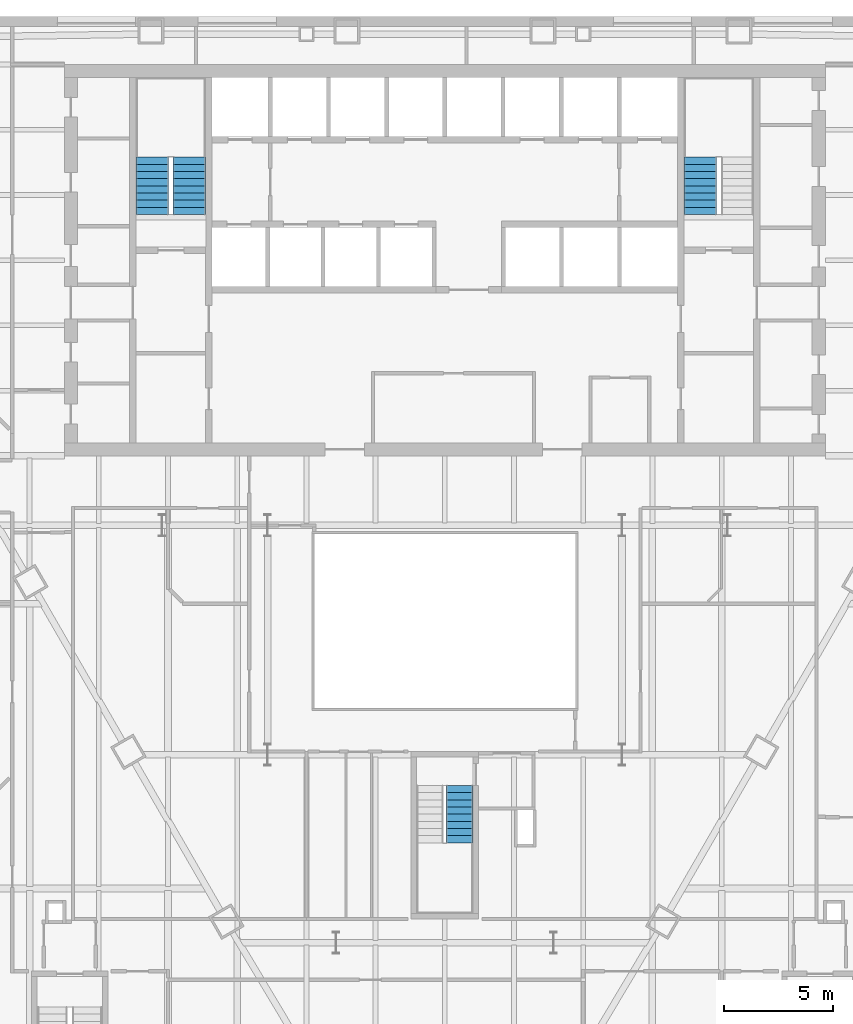
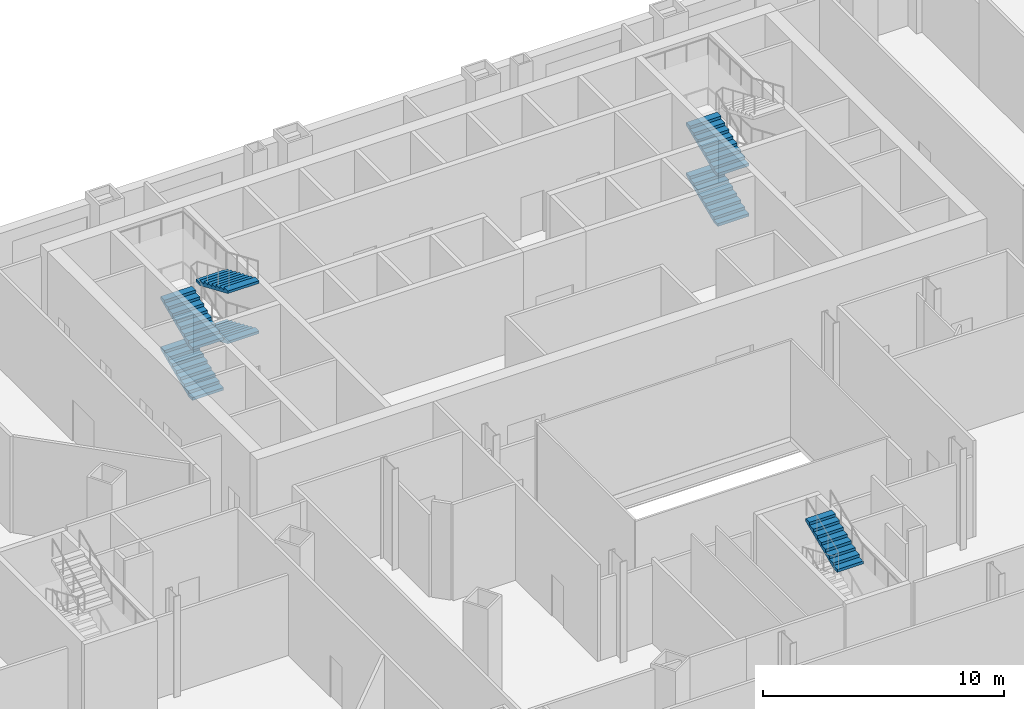
# One storey, part 17 of 20: 7 stair flights, 3 elements without a shape of their own.
"""IFC4 building model written with IfcOpenShell, lengths in metres."""

from ifc_helpers import new_model, si_unit, direction, frame, origin, place, context, subcontext, project, spatial, polygons, material, type_object, element, aggregate, save


model = new_model("IFC4")

# Units and contexts
model_context = context("Model", 3, precision=1e-05, world=origin(), true_north=direction((0.0, 1.0)))
body_context = subcontext(model_context, "Body", "Model", "MODEL_VIEW")
ifc_project = project(units=[si_unit("LENGTHUNIT", "METRE"), si_unit("AREAUNIT", "SQUARE_METRE"), si_unit("VOLUMEUNIT", "CUBIC_METRE"), si_unit("PLANEANGLEUNIT", "RADIAN"), si_unit("MASSUNIT", "GRAM", prefix="KILO")], contexts=[model_context])

# Site, building, storey
site_placement = place(None, origin())
site = spatial("IfcSite", under=ifc_project, at=site_placement, CompositionType="ELEMENT")
building_placement = place(site_placement, origin())
building = spatial("IfcBuilding", under=site, at=building_placement, Name="Njiva Tower", CompositionType="ELEMENT")
storey_placement = place(building_placement, frame((0.0, 0.0, 18.6)))
storey = spatial("IfcBuildingStorey", under=building, at=storey_placement, Name="L03", CompositionType="ELEMENT", Elevation=18.6)

# Stair, stair flight
ifc_material = material(Name="Concrete C40/50", Category="concrete")
stair_type_1 = type_object("IfcStairType", Name="ST1 Exit stair 1250", PredefinedType="HALF_TURN_STAIR", material=ifc_material)
stair_1_placement = place(storey_placement, origin())
stair_1 = element("IfcStair", 1, at=stair_1_placement, inside=storey, type_object=stair_type_1, Name="Stair C", PredefinedType="DOUBLE_RETURN_STAIR")
stair_flight_type_1 = type_object("IfcStairFlightType", Name="FL1 Stair flight 1250", PredefinedType="STRAIGHT", material=ifc_material)
stair_flight_1_placement = place(storey_placement, frame((0.675, -17.8, 3.825), z_axis=(0.0, 0.0, 1.0), x_axis=(0.0, 1.0, 0.0)))
stair_flight_1 = element("IfcStairFlight", 2, at=stair_flight_1_placement, type_object=stair_flight_type_1, Name="ST-C flight 4", NumberOfRisers=9, NumberOfTreads=8, PredefinedType="STRAIGHT", RiserHeight=0.141666667, TreadLength=0.33, context=body_context, shape_type="Tessellation", body=[
    polygons([(0.0, 0.625, 0.0), (0.0, 0.3125, 0.0), (0.0, 0.0, 0.0), (0.0, -0.3125, 0.0), (0.0, -0.625, 0.0), (0.0, 0.625, 0.1417), (0.0, 0.3125, 0.1417), (0.0, 0.0, 0.1417), (0.0, -0.3125, 0.1417), (0.0, -0.625, 0.1417), (0.33, 0.625, 0.1417), (0.33, 0.3125, 0.1417), (0.33, 0.0, 0.1417), (0.33, -0.3125, 0.1417), (0.33, -0.625, 0.1417), (0.33, 0.625, 0.2833), (0.33, 0.3125, 0.2833), (0.33, 0.0, 0.2833), (0.33, -0.3125, 0.2833), (0.33, -0.625, 0.2833), (0.66, 0.625, 0.2833), (0.66, 0.3125, 0.2833), (0.66, 0.0, 0.2833), (0.66, -0.3125, 0.2833), (0.66, -0.625, 0.2833), (0.66, 0.625, 0.425), (0.66, 0.3125, 0.425), (0.66, 0.0, 0.425), (0.66, -0.3125, 0.425), (0.66, -0.625, 0.425), (0.99, 0.625, 0.425), (0.99, 0.3125, 0.425), (0.99, 0.0, 0.425), (0.99, -0.3125, 0.425), (0.99, -0.625, 0.425), (0.99, 0.625, 0.5667), (0.99, 0.3125, 0.5667), (0.99, 0.0, 0.5667), (0.99, -0.3125, 0.5667), (0.99, -0.625, 0.5667), (1.32, 0.625, 0.5667), (1.32, 0.3125, 0.5667), (1.32, 0.0, 0.5667), (1.32, -0.3125, 0.5667), (1.32, -0.625, 0.5667), (1.32, 0.625, 0.7083), (1.32, 0.3125, 0.7083), (1.32, 0.0, 0.7083), (1.32, -0.3125, 0.7083), (1.32, -0.625, 0.7083), (1.65, 0.625, 0.7083), (1.65, 0.3125, 0.7083), (1.65, 0.0, 0.7083), (1.65, -0.3125, 0.7083), (1.65, -0.625, 0.7083), (1.65, 0.625, 0.85), (1.65, 0.3125, 0.85), (1.65, 0.0, 0.85), (1.65, -0.3125, 0.85), (1.65, -0.625, 0.85), (1.98, 0.625, 0.85), (1.98, 0.3125, 0.85), (1.98, 0.0, 0.85), (1.98, -0.3125, 0.85), (1.98, -0.625, 0.85), (1.98, 0.625, 0.9917), (1.98, 0.3125, 0.9917), (1.98, 0.0, 0.9917), (1.98, -0.3125, 0.9917), (1.98, -0.625, 0.9917), (2.31, 0.625, 0.9917), (2.31, 0.3125, 0.9917), (2.31, 0.0, 0.9917), (2.31, -0.3125, 0.9917), (2.31, -0.625, 0.9917), (2.31, 0.625, 1.1333), (2.31, 0.3125, 1.1333), (2.31, 0.0, 1.1333), (2.31, -0.3125, 1.1333), (2.31, -0.625, 1.1333), (2.64, 0.625, 1.1333), (2.64, 0.3125, 1.1333), (2.64, 0.0, 1.1333), (2.64, -0.3125, 1.1333), (2.64, -0.625, 1.1333), (2.64, 0.625, 1.0027), (2.64, 0.3125, 1.0027), (2.64, 0.0, 1.0027), (2.64, -0.3125, 1.0027), (2.64, -0.625, 1.0027), (0.3042, 0.625, 0.0), (0.3042, 0.3125, 0.0), (0.3042, 0.0, 0.0), (0.3042, -0.3125, 0.0), (0.3042, -0.625, 0.0)], [[[1, 6, 11, 16, 21, 26, 31, 36, 41, 46, 51, 56, 61, 66, 71, 76, 81, 86, 91]], [[95, 90, 85, 80, 75, 70, 65, 60, 55, 50, 45, 40, 35, 30, 25, 20, 15, 10, 5]], [[6, 1, 2, 7]], [[7, 2, 3, 8]], [[8, 3, 4, 9]], [[9, 4, 5, 10]], [[11, 6, 7, 12]], [[12, 7, 8, 13]], [[13, 8, 9, 14]], [[14, 9, 10, 15]], [[16, 11, 12, 17]], [[17, 12, 13, 18]], [[18, 13, 14, 19]], [[19, 14, 15, 20]], [[21, 16, 17, 22]], [[22, 17, 18, 23]], [[23, 18, 19, 24]], [[24, 19, 20, 25]], [[26, 21, 22, 27]], [[27, 22, 23, 28]], [[28, 23, 24, 29]], [[29, 24, 25, 30]], [[31, 26, 27, 32]], [[32, 27, 28, 33]], [[33, 28, 29, 34]], [[34, 29, 30, 35]], [[36, 31, 32, 37]], [[37, 32, 33, 38]], [[38, 33, 34, 39]], [[39, 34, 35, 40]], [[41, 36, 37, 42]], [[42, 37, 38, 43]], [[43, 38, 39, 44]], [[44, 39, 40, 45]], [[46, 41, 42, 47]], [[47, 42, 43, 48]], [[48, 43, 44, 49]], [[49, 44, 45, 50]], [[51, 46, 47, 52]], [[52, 47, 48, 53]], [[53, 48, 49, 54]], [[54, 49, 50, 55]], [[56, 51, 52, 57]], [[57, 52, 53, 58]], [[58, 53, 54, 59]], [[59, 54, 55, 60]], [[61, 56, 57, 62]], [[62, 57, 58, 63]], [[63, 58, 59, 64]], [[64, 59, 60, 65]], [[66, 61, 62, 67]], [[67, 62, 63, 68]], [[68, 63, 64, 69]], [[69, 64, 65, 70]], [[71, 66, 67, 72]], [[72, 67, 68, 73]], [[73, 68, 69, 74]], [[74, 69, 70, 75]], [[76, 71, 72, 77]], [[77, 72, 73, 78]], [[78, 73, 74, 79]], [[79, 74, 75, 80]], [[81, 76, 77, 82]], [[82, 77, 78, 83]], [[83, 78, 79, 84]], [[84, 79, 80, 85]], [[86, 81, 82, 87]], [[87, 82, 83, 88]], [[88, 83, 84, 89]], [[89, 84, 85, 90]], [[91, 86, 87, 92]], [[92, 87, 88, 93]], [[93, 88, 89, 94]], [[94, 89, 90, 95]], [[1, 91, 92, 2]], [[2, 92, 93, 3]], [[3, 93, 94, 4]], [[4, 94, 95, 5]]], closed=True),
])
aggregate(stair_1, [stair_flight_1])

# Stair, stair flights
stair_type_2 = type_object("IfcStairType", Name="ST4 Exit stair 1500", PredefinedType="HALF_TURN_STAIR", material=ifc_material)
stair_2_placement = place(storey_placement, origin())
stair_2 = element("IfcStair", 3, at=stair_2_placement, inside=storey, type_object=stair_type_2, Name="Stair A", PredefinedType="DOUBLE_RETURN_STAIR")
stair_flight_type_2 = type_object("IfcStairFlightType", Name="FL4 Stair flight 1500", PredefinedType="STRAIGHT", material=ifc_material)
stair_flight_2_placement = place(storey_placement, frame((-13.45, 11.1, 0.0), z_axis=(0.0, 0.0, 1.0), x_axis=(0.0, 1.0, 0.0)))
stair_flight_2 = element("IfcStairFlight", 4, at=stair_flight_2_placement, type_object=stair_flight_type_2, Name="ST-A flight 1", NumberOfRisers=9, NumberOfTreads=8, PredefinedType="STRAIGHT", RiserHeight=0.141666667, TreadLength=0.33, context=body_context, shape_type="Tessellation", body=[
    polygons([(0.0, 0.75, 0.0), (0.0, 0.375, 0.0), (0.0, 0.0, 0.0), (0.0, -0.375, 0.0), (0.0, -0.75, 0.0), (0.0, 0.75, 0.1417), (0.0, 0.375, 0.1417), (0.0, 0.0, 0.1417), (0.0, -0.375, 0.1417), (0.0, -0.75, 0.1417), (0.33, 0.75, 0.1417), (0.33, 0.375, 0.1417), (0.33, 0.0, 0.1417), (0.33, -0.375, 0.1417), (0.33, -0.75, 0.1417), (0.33, 0.75, 0.2833), (0.33, 0.375, 0.2833), (0.33, 0.0, 0.2833), (0.33, -0.375, 0.2833), (0.33, -0.75, 0.2833), (0.66, 0.75, 0.2833), (0.66, 0.375, 0.2833), (0.66, 0.0, 0.2833), (0.66, -0.375, 0.2833), (0.66, -0.75, 0.2833), (0.66, 0.75, 0.425), (0.66, 0.375, 0.425), (0.66, 0.0, 0.425), (0.66, -0.375, 0.425), (0.66, -0.75, 0.425), (0.99, 0.75, 0.425), (0.99, 0.375, 0.425), (0.99, 0.0, 0.425), (0.99, -0.375, 0.425), (0.99, -0.75, 0.425), (0.99, 0.75, 0.5667), (0.99, 0.375, 0.5667), (0.99, 0.0, 0.5667), (0.99, -0.375, 0.5667), (0.99, -0.75, 0.5667), (1.32, 0.75, 0.5667), (1.32, 0.375, 0.5667), (1.32, 0.0, 0.5667), (1.32, -0.375, 0.5667), (1.32, -0.75, 0.5667), (1.32, 0.75, 0.7083), (1.32, 0.375, 0.7083), (1.32, 0.0, 0.7083), (1.32, -0.375, 0.7083), (1.32, -0.75, 0.7083), (1.65, 0.75, 0.7083), (1.65, 0.375, 0.7083), (1.65, 0.0, 0.7083), (1.65, -0.375, 0.7083), (1.65, -0.75, 0.7083), (1.65, 0.75, 0.85), (1.65, 0.375, 0.85), (1.65, 0.0, 0.85), (1.65, -0.375, 0.85), (1.65, -0.75, 0.85), (1.98, 0.75, 0.85), (1.98, 0.375, 0.85), (1.98, 0.0, 0.85), (1.98, -0.375, 0.85), (1.98, -0.75, 0.85), (1.98, 0.75, 0.9917), (1.98, 0.375, 0.9917), (1.98, 0.0, 0.9917), (1.98, -0.375, 0.9917), (1.98, -0.75, 0.9917), (2.31, 0.75, 0.9917), (2.31, 0.375, 0.9917), (2.31, 0.0, 0.9917), (2.31, -0.375, 0.9917), (2.31, -0.75, 0.9917), (2.31, 0.75, 1.1333), (2.31, 0.375, 1.1333), (2.31, 0.0, 1.1333), (2.31, -0.375, 1.1333), (2.31, -0.75, 1.1333), (2.64, 0.75, 1.1333), (2.64, 0.375, 1.1333), (2.64, 0.0, 1.1333), (2.64, -0.375, 1.1333), (2.64, -0.75, 1.1333), (2.64, 0.75, 1.0027), (2.64, 0.375, 1.0027), (2.64, 0.0, 1.0027), (2.64, -0.375, 1.0027), (2.64, -0.75, 1.0027), (0.3042, 0.75, 0.0), (0.3042, 0.375, 0.0), (0.3042, 0.0, 0.0), (0.3042, -0.375, 0.0), (0.3042, -0.75, 0.0)], [[[1, 6, 11, 16, 21, 26, 31, 36, 41, 46, 51, 56, 61, 66, 71, 76, 81, 86, 91]], [[95, 90, 85, 80, 75, 70, 65, 60, 55, 50, 45, 40, 35, 30, 25, 20, 15, 10, 5]], [[6, 1, 2, 7]], [[7, 2, 3, 8]], [[8, 3, 4, 9]], [[9, 4, 5, 10]], [[11, 6, 7, 12]], [[12, 7, 8, 13]], [[13, 8, 9, 14]], [[14, 9, 10, 15]], [[16, 11, 12, 17]], [[17, 12, 13, 18]], [[18, 13, 14, 19]], [[19, 14, 15, 20]], [[21, 16, 17, 22]], [[22, 17, 18, 23]], [[23, 18, 19, 24]], [[24, 19, 20, 25]], [[26, 21, 22, 27]], [[27, 22, 23, 28]], [[28, 23, 24, 29]], [[29, 24, 25, 30]], [[31, 26, 27, 32]], [[32, 27, 28, 33]], [[33, 28, 29, 34]], [[34, 29, 30, 35]], [[36, 31, 32, 37]], [[37, 32, 33, 38]], [[38, 33, 34, 39]], [[39, 34, 35, 40]], [[41, 36, 37, 42]], [[42, 37, 38, 43]], [[43, 38, 39, 44]], [[44, 39, 40, 45]], [[46, 41, 42, 47]], [[47, 42, 43, 48]], [[48, 43, 44, 49]], [[49, 44, 45, 50]], [[51, 46, 47, 52]], [[52, 47, 48, 53]], [[53, 48, 49, 54]], [[54, 49, 50, 55]], [[56, 51, 52, 57]], [[57, 52, 53, 58]], [[58, 53, 54, 59]], [[59, 54, 55, 60]], [[61, 56, 57, 62]], [[62, 57, 58, 63]], [[63, 58, 59, 64]], [[64, 59, 60, 65]], [[66, 61, 62, 67]], [[67, 62, 63, 68]], [[68, 63, 64, 69]], [[69, 64, 65, 70]], [[71, 66, 67, 72]], [[72, 67, 68, 73]], [[73, 68, 69, 74]], [[74, 69, 70, 75]], [[76, 71, 72, 77]], [[77, 72, 73, 78]], [[78, 73, 74, 79]], [[79, 74, 75, 80]], [[81, 76, 77, 82]], [[82, 77, 78, 83]], [[83, 78, 79, 84]], [[84, 79, 80, 85]], [[86, 81, 82, 87]], [[87, 82, 83, 88]], [[88, 83, 84, 89]], [[89, 84, 85, 90]], [[91, 86, 87, 92]], [[92, 87, 88, 93]], [[93, 88, 89, 94]], [[94, 89, 90, 95]], [[1, 91, 92, 2]], [[2, 92, 93, 3]], [[3, 93, 94, 4]], [[4, 94, 95, 5]]], closed=True),
])
stair_flight_3_placement = place(storey_placement, frame((-11.75, 13.74, 1.275), z_axis=(0.0, 0.0, 1.0), x_axis=(0.0, -1.0, 0.0)))
stair_flight_3 = element("IfcStairFlight", 5, at=stair_flight_3_placement, type_object=stair_flight_type_2, Name="ST-A flight 2", NumberOfRisers=9, NumberOfTreads=8, PredefinedType="STRAIGHT", RiserHeight=0.141666667, TreadLength=0.33, context=body_context, shape_type="Tessellation", body=[
    polygons([(0.0, 0.75, 0.0), (0.0, 0.375, 0.0), (0.0, 0.0, 0.0), (0.0, -0.375, 0.0), (0.0, -0.75, 0.0), (0.0, 0.75, 0.1417), (0.0, 0.375, 0.1417), (0.0, 0.0, 0.1417), (0.0, -0.375, 0.1417), (0.0, -0.75, 0.1417), (0.33, 0.75, 0.1417), (0.33, 0.375, 0.1417), (0.33, 0.0, 0.1417), (0.33, -0.375, 0.1417), (0.33, -0.75, 0.1417), (0.33, 0.75, 0.2833), (0.33, 0.375, 0.2833), (0.33, 0.0, 0.2833), (0.33, -0.375, 0.2833), (0.33, -0.75, 0.2833), (0.66, 0.75, 0.2833), (0.66, 0.375, 0.2833), (0.66, 0.0, 0.2833), (0.66, -0.375, 0.2833), (0.66, -0.75, 0.2833), (0.66, 0.75, 0.425), (0.66, 0.375, 0.425), (0.66, 0.0, 0.425), (0.66, -0.375, 0.425), (0.66, -0.75, 0.425), (0.99, 0.75, 0.425), (0.99, 0.375, 0.425), (0.99, 0.0, 0.425), (0.99, -0.375, 0.425), (0.99, -0.75, 0.425), (0.99, 0.75, 0.5667), (0.99, 0.375, 0.5667), (0.99, 0.0, 0.5667), (0.99, -0.375, 0.5667), (0.99, -0.75, 0.5667), (1.32, 0.75, 0.5667), (1.32, 0.375, 0.5667), (1.32, 0.0, 0.5667), (1.32, -0.375, 0.5667), (1.32, -0.75, 0.5667), (1.32, 0.75, 0.7083), (1.32, 0.375, 0.7083), (1.32, 0.0, 0.7083), (1.32, -0.375, 0.7083), (1.32, -0.75, 0.7083), (1.65, 0.75, 0.7083), (1.65, 0.375, 0.7083), (1.65, 0.0, 0.7083), (1.65, -0.375, 0.7083), (1.65, -0.75, 0.7083), (1.65, 0.75, 0.85), (1.65, 0.375, 0.85), (1.65, 0.0, 0.85), (1.65, -0.375, 0.85), (1.65, -0.75, 0.85), (1.98, 0.75, 0.85), (1.98, 0.375, 0.85), (1.98, 0.0, 0.85), (1.98, -0.375, 0.85), (1.98, -0.75, 0.85), (1.98, 0.75, 0.9917), (1.98, 0.375, 0.9917), (1.98, 0.0, 0.9917), (1.98, -0.375, 0.9917), (1.98, -0.75, 0.9917), (2.31, 0.75, 0.9917), (2.31, 0.375, 0.9917), (2.31, 0.0, 0.9917), (2.31, -0.375, 0.9917), (2.31, -0.75, 0.9917), (2.31, 0.75, 1.1333), (2.31, 0.375, 1.1333), (2.31, 0.0, 1.1333), (2.31, -0.375, 1.1333), (2.31, -0.75, 1.1333), (2.64, 0.75, 1.1333), (2.64, 0.375, 1.1333), (2.64, 0.0, 1.1333), (2.64, -0.375, 1.1333), (2.64, -0.75, 1.1333), (2.64, 0.75, 1.0027), (2.64, 0.375, 1.0027), (2.64, 0.0, 1.0027), (2.64, -0.375, 1.0027), (2.64, -0.75, 1.0027), (0.3042, 0.75, 0.0), (0.3042, 0.375, 0.0), (0.3042, 0.0, 0.0), (0.3042, -0.375, 0.0), (0.3042, -0.75, 0.0)], [[[1, 6, 11, 16, 21, 26, 31, 36, 41, 46, 51, 56, 61, 66, 71, 76, 81, 86, 91]], [[95, 90, 85, 80, 75, 70, 65, 60, 55, 50, 45, 40, 35, 30, 25, 20, 15, 10, 5]], [[6, 1, 2, 7]], [[7, 2, 3, 8]], [[8, 3, 4, 9]], [[9, 4, 5, 10]], [[11, 6, 7, 12]], [[12, 7, 8, 13]], [[13, 8, 9, 14]], [[14, 9, 10, 15]], [[16, 11, 12, 17]], [[17, 12, 13, 18]], [[18, 13, 14, 19]], [[19, 14, 15, 20]], [[21, 16, 17, 22]], [[22, 17, 18, 23]], [[23, 18, 19, 24]], [[24, 19, 20, 25]], [[26, 21, 22, 27]], [[27, 22, 23, 28]], [[28, 23, 24, 29]], [[29, 24, 25, 30]], [[31, 26, 27, 32]], [[32, 27, 28, 33]], [[33, 28, 29, 34]], [[34, 29, 30, 35]], [[36, 31, 32, 37]], [[37, 32, 33, 38]], [[38, 33, 34, 39]], [[39, 34, 35, 40]], [[41, 36, 37, 42]], [[42, 37, 38, 43]], [[43, 38, 39, 44]], [[44, 39, 40, 45]], [[46, 41, 42, 47]], [[47, 42, 43, 48]], [[48, 43, 44, 49]], [[49, 44, 45, 50]], [[51, 46, 47, 52]], [[52, 47, 48, 53]], [[53, 48, 49, 54]], [[54, 49, 50, 55]], [[56, 51, 52, 57]], [[57, 52, 53, 58]], [[58, 53, 54, 59]], [[59, 54, 55, 60]], [[61, 56, 57, 62]], [[62, 57, 58, 63]], [[63, 58, 59, 64]], [[64, 59, 60, 65]], [[66, 61, 62, 67]], [[67, 62, 63, 68]], [[68, 63, 64, 69]], [[69, 64, 65, 70]], [[71, 66, 67, 72]], [[72, 67, 68, 73]], [[73, 68, 69, 74]], [[74, 69, 70, 75]], [[76, 71, 72, 77]], [[77, 72, 73, 78]], [[78, 73, 74, 79]], [[79, 74, 75, 80]], [[81, 76, 77, 82]], [[82, 77, 78, 83]], [[83, 78, 79, 84]], [[84, 79, 80, 85]], [[86, 81, 82, 87]], [[87, 82, 83, 88]], [[88, 83, 84, 89]], [[89, 84, 85, 90]], [[91, 86, 87, 92]], [[92, 87, 88, 93]], [[93, 88, 89, 94]], [[94, 89, 90, 95]], [[1, 91, 92, 2]], [[2, 92, 93, 3]], [[3, 93, 94, 4]], [[4, 94, 95, 5]]], closed=True),
])
stair_flight_4_placement = place(storey_placement, frame((-13.45, 11.1, 2.55), z_axis=(0.0, 0.0, 1.0), x_axis=(0.0, 1.0, 0.0)))
stair_flight_4 = element("IfcStairFlight", 6, at=stair_flight_4_placement, type_object=stair_flight_type_2, Name="ST-A flight 3", NumberOfRisers=9, NumberOfTreads=8, PredefinedType="STRAIGHT", RiserHeight=0.141666667, TreadLength=0.33, context=body_context, shape_type="Tessellation", body=[
    polygons([(0.0, 0.75, 0.0), (0.0, 0.375, 0.0), (0.0, 0.0, 0.0), (0.0, -0.375, 0.0), (0.0, -0.75, 0.0), (0.0, 0.75, 0.1417), (0.0, 0.375, 0.1417), (0.0, 0.0, 0.1417), (0.0, -0.375, 0.1417), (0.0, -0.75, 0.1417), (0.33, 0.75, 0.1417), (0.33, 0.375, 0.1417), (0.33, 0.0, 0.1417), (0.33, -0.375, 0.1417), (0.33, -0.75, 0.1417), (0.33, 0.75, 0.2833), (0.33, 0.375, 0.2833), (0.33, 0.0, 0.2833), (0.33, -0.375, 0.2833), (0.33, -0.75, 0.2833), (0.66, 0.75, 0.2833), (0.66, 0.375, 0.2833), (0.66, 0.0, 0.2833), (0.66, -0.375, 0.2833), (0.66, -0.75, 0.2833), (0.66, 0.75, 0.425), (0.66, 0.375, 0.425), (0.66, 0.0, 0.425), (0.66, -0.375, 0.425), (0.66, -0.75, 0.425), (0.99, 0.75, 0.425), (0.99, 0.375, 0.425), (0.99, 0.0, 0.425), (0.99, -0.375, 0.425), (0.99, -0.75, 0.425), (0.99, 0.75, 0.5667), (0.99, 0.375, 0.5667), (0.99, 0.0, 0.5667), (0.99, -0.375, 0.5667), (0.99, -0.75, 0.5667), (1.32, 0.75, 0.5667), (1.32, 0.375, 0.5667), (1.32, 0.0, 0.5667), (1.32, -0.375, 0.5667), (1.32, -0.75, 0.5667), (1.32, 0.75, 0.7083), (1.32, 0.375, 0.7083), (1.32, 0.0, 0.7083), (1.32, -0.375, 0.7083), (1.32, -0.75, 0.7083), (1.65, 0.75, 0.7083), (1.65, 0.375, 0.7083), (1.65, 0.0, 0.7083), (1.65, -0.375, 0.7083), (1.65, -0.75, 0.7083), (1.65, 0.75, 0.85), (1.65, 0.375, 0.85), (1.65, 0.0, 0.85), (1.65, -0.375, 0.85), (1.65, -0.75, 0.85), (1.98, 0.75, 0.85), (1.98, 0.375, 0.85), (1.98, 0.0, 0.85), (1.98, -0.375, 0.85), (1.98, -0.75, 0.85), (1.98, 0.75, 0.9917), (1.98, 0.375, 0.9917), (1.98, 0.0, 0.9917), (1.98, -0.375, 0.9917), (1.98, -0.75, 0.9917), (2.31, 0.75, 0.9917), (2.31, 0.375, 0.9917), (2.31, 0.0, 0.9917), (2.31, -0.375, 0.9917), (2.31, -0.75, 0.9917), (2.31, 0.75, 1.1333), (2.31, 0.375, 1.1333), (2.31, 0.0, 1.1333), (2.31, -0.375, 1.1333), (2.31, -0.75, 1.1333), (2.64, 0.75, 1.1333), (2.64, 0.375, 1.1333), (2.64, 0.0, 1.1333), (2.64, -0.375, 1.1333), (2.64, -0.75, 1.1333), (2.64, 0.75, 1.0027), (2.64, 0.375, 1.0027), (2.64, 0.0, 1.0027), (2.64, -0.375, 1.0027), (2.64, -0.75, 1.0027), (0.3042, 0.75, 0.0), (0.3042, 0.375, 0.0), (0.3042, 0.0, 0.0), (0.3042, -0.375, 0.0), (0.3042, -0.75, 0.0)], [[[1, 6, 11, 16, 21, 26, 31, 36, 41, 46, 51, 56, 61, 66, 71, 76, 81, 86, 91]], [[95, 90, 85, 80, 75, 70, 65, 60, 55, 50, 45, 40, 35, 30, 25, 20, 15, 10, 5]], [[6, 1, 2, 7]], [[7, 2, 3, 8]], [[8, 3, 4, 9]], [[9, 4, 5, 10]], [[11, 6, 7, 12]], [[12, 7, 8, 13]], [[13, 8, 9, 14]], [[14, 9, 10, 15]], [[16, 11, 12, 17]], [[17, 12, 13, 18]], [[18, 13, 14, 19]], [[19, 14, 15, 20]], [[21, 16, 17, 22]], [[22, 17, 18, 23]], [[23, 18, 19, 24]], [[24, 19, 20, 25]], [[26, 21, 22, 27]], [[27, 22, 23, 28]], [[28, 23, 24, 29]], [[29, 24, 25, 30]], [[31, 26, 27, 32]], [[32, 27, 28, 33]], [[33, 28, 29, 34]], [[34, 29, 30, 35]], [[36, 31, 32, 37]], [[37, 32, 33, 38]], [[38, 33, 34, 39]], [[39, 34, 35, 40]], [[41, 36, 37, 42]], [[42, 37, 38, 43]], [[43, 38, 39, 44]], [[44, 39, 40, 45]], [[46, 41, 42, 47]], [[47, 42, 43, 48]], [[48, 43, 44, 49]], [[49, 44, 45, 50]], [[51, 46, 47, 52]], [[52, 47, 48, 53]], [[53, 48, 49, 54]], [[54, 49, 50, 55]], [[56, 51, 52, 57]], [[57, 52, 53, 58]], [[58, 53, 54, 59]], [[59, 54, 55, 60]], [[61, 56, 57, 62]], [[62, 57, 58, 63]], [[63, 58, 59, 64]], [[64, 59, 60, 65]], [[66, 61, 62, 67]], [[67, 62, 63, 68]], [[68, 63, 64, 69]], [[69, 64, 65, 70]], [[71, 66, 67, 72]], [[72, 67, 68, 73]], [[73, 68, 69, 74]], [[74, 69, 70, 75]], [[76, 71, 72, 77]], [[77, 72, 73, 78]], [[78, 73, 74, 79]], [[79, 74, 75, 80]], [[81, 76, 77, 82]], [[82, 77, 78, 83]], [[83, 78, 79, 84]], [[84, 79, 80, 85]], [[86, 81, 82, 87]], [[87, 82, 83, 88]], [[88, 83, 84, 89]], [[89, 84, 85, 90]], [[91, 86, 87, 92]], [[92, 87, 88, 93]], [[93, 88, 89, 94]], [[94, 89, 90, 95]], [[1, 91, 92, 2]], [[2, 92, 93, 3]], [[3, 93, 94, 4]], [[4, 94, 95, 5]]], closed=True),
])
stair_flight_5_placement = place(storey_placement, frame((-11.75, 13.74, 3.825), z_axis=(0.0, 0.0, 1.0), x_axis=(0.0, -1.0, 0.0)))
stair_flight_5 = element("IfcStairFlight", 7, at=stair_flight_5_placement, type_object=stair_flight_type_2, Name="ST-A flight 4", NumberOfRisers=9, NumberOfTreads=8, PredefinedType="STRAIGHT", RiserHeight=0.141666667, TreadLength=0.33, context=body_context, shape_type="Tessellation", body=[
    polygons([(0.0, 0.75, 0.0), (0.0, 0.375, 0.0), (0.0, 0.0, 0.0), (0.0, -0.375, 0.0), (0.0, -0.75, 0.0), (0.0, 0.75, 0.1417), (0.0, 0.375, 0.1417), (0.0, 0.0, 0.1417), (0.0, -0.375, 0.1417), (0.0, -0.75, 0.1417), (0.33, 0.75, 0.1417), (0.33, 0.375, 0.1417), (0.33, 0.0, 0.1417), (0.33, -0.375, 0.1417), (0.33, -0.75, 0.1417), (0.33, 0.75, 0.2833), (0.33, 0.375, 0.2833), (0.33, 0.0, 0.2833), (0.33, -0.375, 0.2833), (0.33, -0.75, 0.2833), (0.66, 0.75, 0.2833), (0.66, 0.375, 0.2833), (0.66, 0.0, 0.2833), (0.66, -0.375, 0.2833), (0.66, -0.75, 0.2833), (0.66, 0.75, 0.425), (0.66, 0.375, 0.425), (0.66, 0.0, 0.425), (0.66, -0.375, 0.425), (0.66, -0.75, 0.425), (0.99, 0.75, 0.425), (0.99, 0.375, 0.425), (0.99, 0.0, 0.425), (0.99, -0.375, 0.425), (0.99, -0.75, 0.425), (0.99, 0.75, 0.5667), (0.99, 0.375, 0.5667), (0.99, 0.0, 0.5667), (0.99, -0.375, 0.5667), (0.99, -0.75, 0.5667), (1.32, 0.75, 0.5667), (1.32, 0.375, 0.5667), (1.32, 0.0, 0.5667), (1.32, -0.375, 0.5667), (1.32, -0.75, 0.5667), (1.32, 0.75, 0.7083), (1.32, 0.375, 0.7083), (1.32, 0.0, 0.7083), (1.32, -0.375, 0.7083), (1.32, -0.75, 0.7083), (1.65, 0.75, 0.7083), (1.65, 0.375, 0.7083), (1.65, 0.0, 0.7083), (1.65, -0.375, 0.7083), (1.65, -0.75, 0.7083), (1.65, 0.75, 0.85), (1.65, 0.375, 0.85), (1.65, 0.0, 0.85), (1.65, -0.375, 0.85), (1.65, -0.75, 0.85), (1.98, 0.75, 0.85), (1.98, 0.375, 0.85), (1.98, 0.0, 0.85), (1.98, -0.375, 0.85), (1.98, -0.75, 0.85), (1.98, 0.75, 0.9917), (1.98, 0.375, 0.9917), (1.98, 0.0, 0.9917), (1.98, -0.375, 0.9917), (1.98, -0.75, 0.9917), (2.31, 0.75, 0.9917), (2.31, 0.375, 0.9917), (2.31, 0.0, 0.9917), (2.31, -0.375, 0.9917), (2.31, -0.75, 0.9917), (2.31, 0.75, 1.1333), (2.31, 0.375, 1.1333), (2.31, 0.0, 1.1333), (2.31, -0.375, 1.1333), (2.31, -0.75, 1.1333), (2.64, 0.75, 1.1333), (2.64, 0.375, 1.1333), (2.64, 0.0, 1.1333), (2.64, -0.375, 1.1333), (2.64, -0.75, 1.1333), (2.64, 0.75, 1.0027), (2.64, 0.375, 1.0027), (2.64, 0.0, 1.0027), (2.64, -0.375, 1.0027), (2.64, -0.75, 1.0027), (0.3042, 0.75, 0.0), (0.3042, 0.375, 0.0), (0.3042, 0.0, 0.0), (0.3042, -0.375, 0.0), (0.3042, -0.75, 0.0)], [[[1, 6, 11, 16, 21, 26, 31, 36, 41, 46, 51, 56, 61, 66, 71, 76, 81, 86, 91]], [[95, 90, 85, 80, 75, 70, 65, 60, 55, 50, 45, 40, 35, 30, 25, 20, 15, 10, 5]], [[6, 1, 2, 7]], [[7, 2, 3, 8]], [[8, 3, 4, 9]], [[9, 4, 5, 10]], [[11, 6, 7, 12]], [[12, 7, 8, 13]], [[13, 8, 9, 14]], [[14, 9, 10, 15]], [[16, 11, 12, 17]], [[17, 12, 13, 18]], [[18, 13, 14, 19]], [[19, 14, 15, 20]], [[21, 16, 17, 22]], [[22, 17, 18, 23]], [[23, 18, 19, 24]], [[24, 19, 20, 25]], [[26, 21, 22, 27]], [[27, 22, 23, 28]], [[28, 23, 24, 29]], [[29, 24, 25, 30]], [[31, 26, 27, 32]], [[32, 27, 28, 33]], [[33, 28, 29, 34]], [[34, 29, 30, 35]], [[36, 31, 32, 37]], [[37, 32, 33, 38]], [[38, 33, 34, 39]], [[39, 34, 35, 40]], [[41, 36, 37, 42]], [[42, 37, 38, 43]], [[43, 38, 39, 44]], [[44, 39, 40, 45]], [[46, 41, 42, 47]], [[47, 42, 43, 48]], [[48, 43, 44, 49]], [[49, 44, 45, 50]], [[51, 46, 47, 52]], [[52, 47, 48, 53]], [[53, 48, 49, 54]], [[54, 49, 50, 55]], [[56, 51, 52, 57]], [[57, 52, 53, 58]], [[58, 53, 54, 59]], [[59, 54, 55, 60]], [[61, 56, 57, 62]], [[62, 57, 58, 63]], [[63, 58, 59, 64]], [[64, 59, 60, 65]], [[66, 61, 62, 67]], [[67, 62, 63, 68]], [[68, 63, 64, 69]], [[69, 64, 65, 70]], [[71, 66, 67, 72]], [[72, 67, 68, 73]], [[73, 68, 69, 74]], [[74, 69, 70, 75]], [[76, 71, 72, 77]], [[77, 72, 73, 78]], [[78, 73, 74, 79]], [[79, 74, 75, 80]], [[81, 76, 77, 82]], [[82, 77, 78, 83]], [[83, 78, 79, 84]], [[84, 79, 80, 85]], [[86, 81, 82, 87]], [[87, 82, 83, 88]], [[88, 83, 84, 89]], [[89, 84, 85, 90]], [[91, 86, 87, 92]], [[92, 87, 88, 93]], [[93, 88, 89, 94]], [[94, 89, 90, 95]], [[1, 91, 92, 2]], [[2, 92, 93, 3]], [[3, 93, 94, 4]], [[4, 94, 95, 5]]], closed=True),
])
aggregate(stair_2, [stair_flight_2, stair_flight_3, stair_flight_4, stair_flight_5])

stair_3_placement = place(storey_placement, origin())
stair_3 = element("IfcStair", 8, at=stair_3_placement, inside=storey, type_object=stair_type_2, Name="Stair B", PredefinedType="DOUBLE_RETURN_STAIR")
stair_flight_6_placement = place(storey_placement, frame((11.75, 11.1, 0.0), z_axis=(0.0, 0.0, 1.0), x_axis=(0.0, 1.0, 0.0)))
stair_flight_6 = element("IfcStairFlight", 9, at=stair_flight_6_placement, type_object=stair_flight_type_2, Name="ST-B flight 1", NumberOfRisers=9, NumberOfTreads=8, PredefinedType="STRAIGHT", RiserHeight=0.141666667, TreadLength=0.33, context=body_context, shape_type="Tessellation", body=[
    polygons([(0.0, 0.75, 0.0), (0.0, 0.375, 0.0), (0.0, 0.0, 0.0), (0.0, -0.375, 0.0), (0.0, -0.75, 0.0), (0.0, 0.75, 0.1417), (0.0, 0.375, 0.1417), (0.0, 0.0, 0.1417), (0.0, -0.375, 0.1417), (0.0, -0.75, 0.1417), (0.33, 0.75, 0.1417), (0.33, 0.375, 0.1417), (0.33, 0.0, 0.1417), (0.33, -0.375, 0.1417), (0.33, -0.75, 0.1417), (0.33, 0.75, 0.2833), (0.33, 0.375, 0.2833), (0.33, 0.0, 0.2833), (0.33, -0.375, 0.2833), (0.33, -0.75, 0.2833), (0.66, 0.75, 0.2833), (0.66, 0.375, 0.2833), (0.66, 0.0, 0.2833), (0.66, -0.375, 0.2833), (0.66, -0.75, 0.2833), (0.66, 0.75, 0.425), (0.66, 0.375, 0.425), (0.66, 0.0, 0.425), (0.66, -0.375, 0.425), (0.66, -0.75, 0.425), (0.99, 0.75, 0.425), (0.99, 0.375, 0.425), (0.99, 0.0, 0.425), (0.99, -0.375, 0.425), (0.99, -0.75, 0.425), (0.99, 0.75, 0.5667), (0.99, 0.375, 0.5667), (0.99, 0.0, 0.5667), (0.99, -0.375, 0.5667), (0.99, -0.75, 0.5667), (1.32, 0.75, 0.5667), (1.32, 0.375, 0.5667), (1.32, 0.0, 0.5667), (1.32, -0.375, 0.5667), (1.32, -0.75, 0.5667), (1.32, 0.75, 0.7083), (1.32, 0.375, 0.7083), (1.32, 0.0, 0.7083), (1.32, -0.375, 0.7083), (1.32, -0.75, 0.7083), (1.65, 0.75, 0.7083), (1.65, 0.375, 0.7083), (1.65, 0.0, 0.7083), (1.65, -0.375, 0.7083), (1.65, -0.75, 0.7083), (1.65, 0.75, 0.85), (1.65, 0.375, 0.85), (1.65, 0.0, 0.85), (1.65, -0.375, 0.85), (1.65, -0.75, 0.85), (1.98, 0.75, 0.85), (1.98, 0.375, 0.85), (1.98, 0.0, 0.85), (1.98, -0.375, 0.85), (1.98, -0.75, 0.85), (1.98, 0.75, 0.9917), (1.98, 0.375, 0.9917), (1.98, 0.0, 0.9917), (1.98, -0.375, 0.9917), (1.98, -0.75, 0.9917), (2.31, 0.75, 0.9917), (2.31, 0.375, 0.9917), (2.31, 0.0, 0.9917), (2.31, -0.375, 0.9917), (2.31, -0.75, 0.9917), (2.31, 0.75, 1.1333), (2.31, 0.375, 1.1333), (2.31, 0.0, 1.1333), (2.31, -0.375, 1.1333), (2.31, -0.75, 1.1333), (2.64, 0.75, 1.1333), (2.64, 0.375, 1.1333), (2.64, 0.0, 1.1333), (2.64, -0.375, 1.1333), (2.64, -0.75, 1.1333), (2.64, 0.75, 1.0027), (2.64, 0.375, 1.0027), (2.64, 0.0, 1.0027), (2.64, -0.375, 1.0027), (2.64, -0.75, 1.0027), (0.3042, 0.75, 0.0), (0.3042, 0.375, 0.0), (0.3042, 0.0, 0.0), (0.3042, -0.375, 0.0), (0.3042, -0.75, 0.0)], [[[1, 6, 11, 16, 21, 26, 31, 36, 41, 46, 51, 56, 61, 66, 71, 76, 81, 86, 91]], [[95, 90, 85, 80, 75, 70, 65, 60, 55, 50, 45, 40, 35, 30, 25, 20, 15, 10, 5]], [[6, 1, 2, 7]], [[7, 2, 3, 8]], [[8, 3, 4, 9]], [[9, 4, 5, 10]], [[11, 6, 7, 12]], [[12, 7, 8, 13]], [[13, 8, 9, 14]], [[14, 9, 10, 15]], [[16, 11, 12, 17]], [[17, 12, 13, 18]], [[18, 13, 14, 19]], [[19, 14, 15, 20]], [[21, 16, 17, 22]], [[22, 17, 18, 23]], [[23, 18, 19, 24]], [[24, 19, 20, 25]], [[26, 21, 22, 27]], [[27, 22, 23, 28]], [[28, 23, 24, 29]], [[29, 24, 25, 30]], [[31, 26, 27, 32]], [[32, 27, 28, 33]], [[33, 28, 29, 34]], [[34, 29, 30, 35]], [[36, 31, 32, 37]], [[37, 32, 33, 38]], [[38, 33, 34, 39]], [[39, 34, 35, 40]], [[41, 36, 37, 42]], [[42, 37, 38, 43]], [[43, 38, 39, 44]], [[44, 39, 40, 45]], [[46, 41, 42, 47]], [[47, 42, 43, 48]], [[48, 43, 44, 49]], [[49, 44, 45, 50]], [[51, 46, 47, 52]], [[52, 47, 48, 53]], [[53, 48, 49, 54]], [[54, 49, 50, 55]], [[56, 51, 52, 57]], [[57, 52, 53, 58]], [[58, 53, 54, 59]], [[59, 54, 55, 60]], [[61, 56, 57, 62]], [[62, 57, 58, 63]], [[63, 58, 59, 64]], [[64, 59, 60, 65]], [[66, 61, 62, 67]], [[67, 62, 63, 68]], [[68, 63, 64, 69]], [[69, 64, 65, 70]], [[71, 66, 67, 72]], [[72, 67, 68, 73]], [[73, 68, 69, 74]], [[74, 69, 70, 75]], [[76, 71, 72, 77]], [[77, 72, 73, 78]], [[78, 73, 74, 79]], [[79, 74, 75, 80]], [[81, 76, 77, 82]], [[82, 77, 78, 83]], [[83, 78, 79, 84]], [[84, 79, 80, 85]], [[86, 81, 82, 87]], [[87, 82, 83, 88]], [[88, 83, 84, 89]], [[89, 84, 85, 90]], [[91, 86, 87, 92]], [[92, 87, 88, 93]], [[93, 88, 89, 94]], [[94, 89, 90, 95]], [[1, 91, 92, 2]], [[2, 92, 93, 3]], [[3, 93, 94, 4]], [[4, 94, 95, 5]]], closed=True),
])
stair_flight_7_placement = place(storey_placement, frame((11.75, 11.1, 2.55), z_axis=(0.0, 0.0, 1.0), x_axis=(0.0, 1.0, 0.0)))
stair_flight_7 = element("IfcStairFlight", 10, at=stair_flight_7_placement, type_object=stair_flight_type_2, Name="ST-B flight 3", NumberOfRisers=9, NumberOfTreads=8, PredefinedType="STRAIGHT", RiserHeight=0.141666667, TreadLength=0.33, context=body_context, shape_type="Tessellation", body=[
    polygons([(0.0, 0.75, 0.0), (0.0, 0.375, 0.0), (0.0, 0.0, 0.0), (0.0, -0.375, 0.0), (0.0, -0.75, 0.0), (0.0, 0.75, 0.1417), (0.0, 0.375, 0.1417), (0.0, 0.0, 0.1417), (0.0, -0.375, 0.1417), (0.0, -0.75, 0.1417), (0.33, 0.75, 0.1417), (0.33, 0.375, 0.1417), (0.33, 0.0, 0.1417), (0.33, -0.375, 0.1417), (0.33, -0.75, 0.1417), (0.33, 0.75, 0.2833), (0.33, 0.375, 0.2833), (0.33, 0.0, 0.2833), (0.33, -0.375, 0.2833), (0.33, -0.75, 0.2833), (0.66, 0.75, 0.2833), (0.66, 0.375, 0.2833), (0.66, 0.0, 0.2833), (0.66, -0.375, 0.2833), (0.66, -0.75, 0.2833), (0.66, 0.75, 0.425), (0.66, 0.375, 0.425), (0.66, 0.0, 0.425), (0.66, -0.375, 0.425), (0.66, -0.75, 0.425), (0.99, 0.75, 0.425), (0.99, 0.375, 0.425), (0.99, 0.0, 0.425), (0.99, -0.375, 0.425), (0.99, -0.75, 0.425), (0.99, 0.75, 0.5667), (0.99, 0.375, 0.5667), (0.99, 0.0, 0.5667), (0.99, -0.375, 0.5667), (0.99, -0.75, 0.5667), (1.32, 0.75, 0.5667), (1.32, 0.375, 0.5667), (1.32, 0.0, 0.5667), (1.32, -0.375, 0.5667), (1.32, -0.75, 0.5667), (1.32, 0.75, 0.7083), (1.32, 0.375, 0.7083), (1.32, 0.0, 0.7083), (1.32, -0.375, 0.7083), (1.32, -0.75, 0.7083), (1.65, 0.75, 0.7083), (1.65, 0.375, 0.7083), (1.65, 0.0, 0.7083), (1.65, -0.375, 0.7083), (1.65, -0.75, 0.7083), (1.65, 0.75, 0.85), (1.65, 0.375, 0.85), (1.65, 0.0, 0.85), (1.65, -0.375, 0.85), (1.65, -0.75, 0.85), (1.98, 0.75, 0.85), (1.98, 0.375, 0.85), (1.98, 0.0, 0.85), (1.98, -0.375, 0.85), (1.98, -0.75, 0.85), (1.98, 0.75, 0.9917), (1.98, 0.375, 0.9917), (1.98, 0.0, 0.9917), (1.98, -0.375, 0.9917), (1.98, -0.75, 0.9917), (2.31, 0.75, 0.9917), (2.31, 0.375, 0.9917), (2.31, 0.0, 0.9917), (2.31, -0.375, 0.9917), (2.31, -0.75, 0.9917), (2.31, 0.75, 1.1333), (2.31, 0.375, 1.1333), (2.31, 0.0, 1.1333), (2.31, -0.375, 1.1333), (2.31, -0.75, 1.1333), (2.64, 0.75, 1.1333), (2.64, 0.375, 1.1333), (2.64, 0.0, 1.1333), (2.64, -0.375, 1.1333), (2.64, -0.75, 1.1333), (2.64, 0.75, 1.0027), (2.64, 0.375, 1.0027), (2.64, 0.0, 1.0027), (2.64, -0.375, 1.0027), (2.64, -0.75, 1.0027), (0.3042, 0.75, 0.0), (0.3042, 0.375, 0.0), (0.3042, 0.0, 0.0), (0.3042, -0.375, 0.0), (0.3042, -0.75, 0.0)], [[[1, 6, 11, 16, 21, 26, 31, 36, 41, 46, 51, 56, 61, 66, 71, 76, 81, 86, 91]], [[95, 90, 85, 80, 75, 70, 65, 60, 55, 50, 45, 40, 35, 30, 25, 20, 15, 10, 5]], [[6, 1, 2, 7]], [[7, 2, 3, 8]], [[8, 3, 4, 9]], [[9, 4, 5, 10]], [[11, 6, 7, 12]], [[12, 7, 8, 13]], [[13, 8, 9, 14]], [[14, 9, 10, 15]], [[16, 11, 12, 17]], [[17, 12, 13, 18]], [[18, 13, 14, 19]], [[19, 14, 15, 20]], [[21, 16, 17, 22]], [[22, 17, 18, 23]], [[23, 18, 19, 24]], [[24, 19, 20, 25]], [[26, 21, 22, 27]], [[27, 22, 23, 28]], [[28, 23, 24, 29]], [[29, 24, 25, 30]], [[31, 26, 27, 32]], [[32, 27, 28, 33]], [[33, 28, 29, 34]], [[34, 29, 30, 35]], [[36, 31, 32, 37]], [[37, 32, 33, 38]], [[38, 33, 34, 39]], [[39, 34, 35, 40]], [[41, 36, 37, 42]], [[42, 37, 38, 43]], [[43, 38, 39, 44]], [[44, 39, 40, 45]], [[46, 41, 42, 47]], [[47, 42, 43, 48]], [[48, 43, 44, 49]], [[49, 44, 45, 50]], [[51, 46, 47, 52]], [[52, 47, 48, 53]], [[53, 48, 49, 54]], [[54, 49, 50, 55]], [[56, 51, 52, 57]], [[57, 52, 53, 58]], [[58, 53, 54, 59]], [[59, 54, 55, 60]], [[61, 56, 57, 62]], [[62, 57, 58, 63]], [[63, 58, 59, 64]], [[64, 59, 60, 65]], [[66, 61, 62, 67]], [[67, 62, 63, 68]], [[68, 63, 64, 69]], [[69, 64, 65, 70]], [[71, 66, 67, 72]], [[72, 67, 68, 73]], [[73, 68, 69, 74]], [[74, 69, 70, 75]], [[76, 71, 72, 77]], [[77, 72, 73, 78]], [[78, 73, 74, 79]], [[79, 74, 75, 80]], [[81, 76, 77, 82]], [[82, 77, 78, 83]], [[83, 78, 79, 84]], [[84, 79, 80, 85]], [[86, 81, 82, 87]], [[87, 82, 83, 88]], [[88, 83, 84, 89]], [[89, 84, 85, 90]], [[91, 86, 87, 92]], [[92, 87, 88, 93]], [[93, 88, 89, 94]], [[94, 89, 90, 95]], [[1, 91, 92, 2]], [[2, 92, 93, 3]], [[3, 93, 94, 4]], [[4, 94, 95, 5]]], closed=True),
])
aggregate(stair_3, [stair_flight_6, stair_flight_7])

save(model, "model.ifc")
